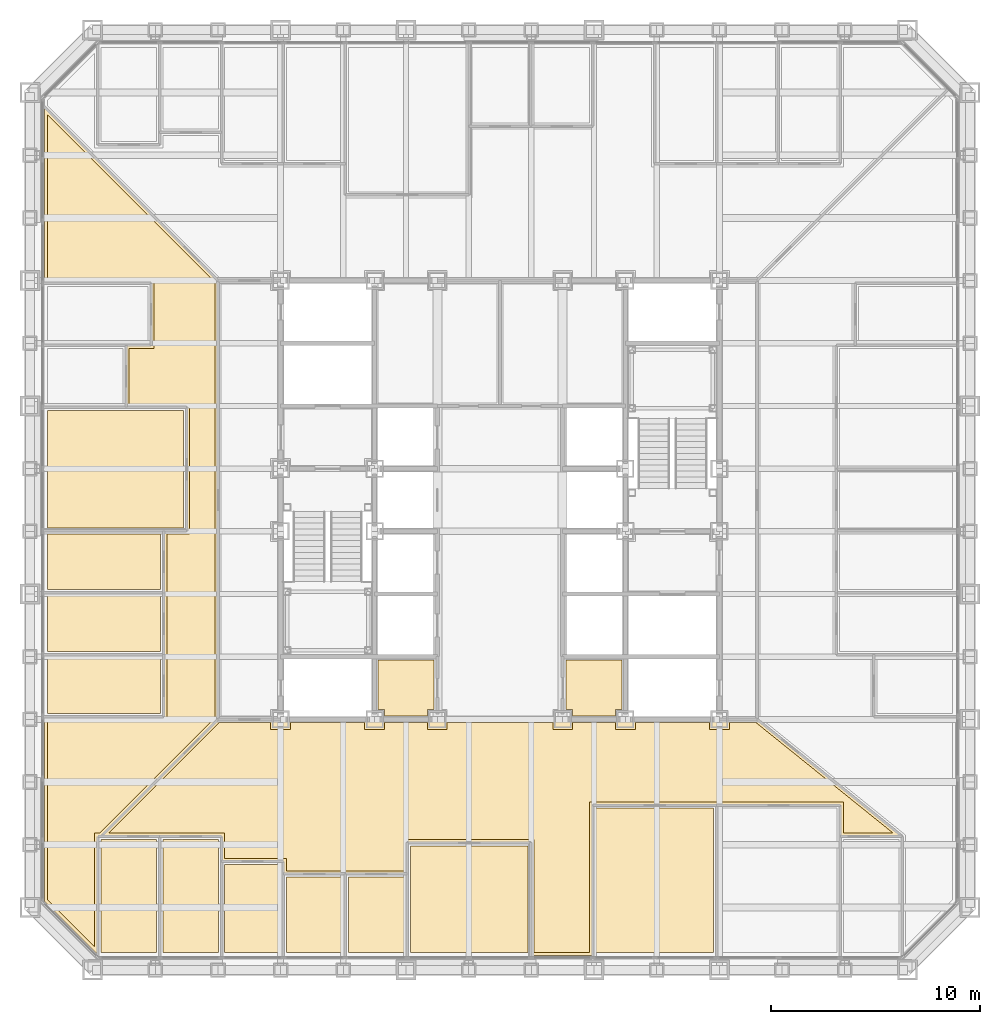
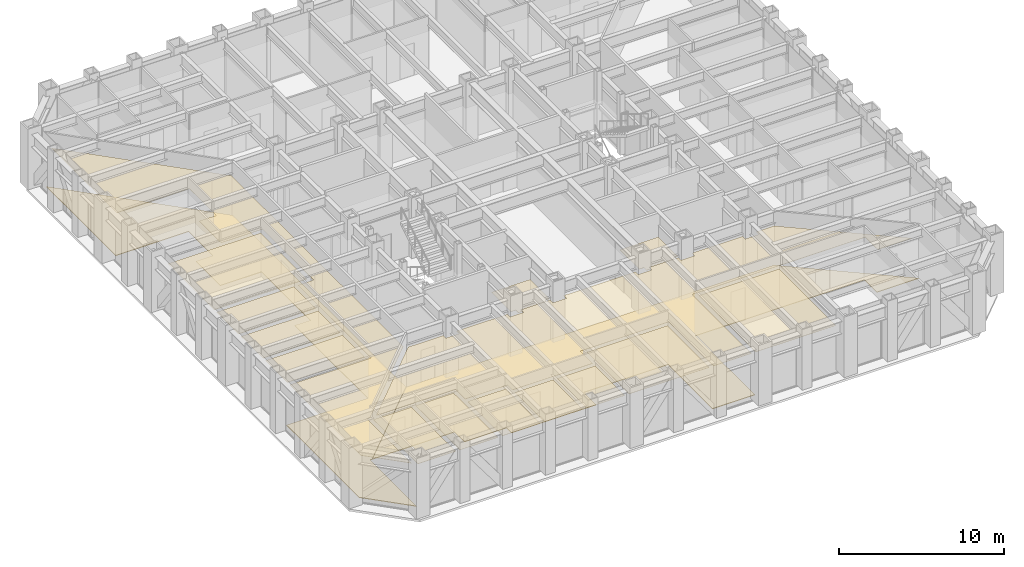
# One storey, part 14 of 17: 17 coverings.
"""IFC4 building model written with IfcOpenShell, lengths in metres."""

from ifc_helpers import new_model, si_unit, direction, frame, origin, place, context, subcontext, project, spatial, polyline, outline, extrude, material, layer, layer_set, type_object, element, save


model = new_model("IFC4")

# Units and contexts
model_context = context("Model", 3, precision=1e-05, world=origin(), true_north=direction((0.0, 1.0)))
body_context = subcontext(model_context, "Body", "Model", "MODEL_VIEW")
ifc_project = project(units=[si_unit("LENGTHUNIT", "METRE"), si_unit("AREAUNIT", "SQUARE_METRE"), si_unit("VOLUMEUNIT", "CUBIC_METRE"), si_unit("PLANEANGLEUNIT", "RADIAN"), si_unit("MASSUNIT", "GRAM", prefix="KILO")], contexts=[model_context])

# Site, building, storey
site_placement = place(None, origin())
site = spatial("IfcSite", under=ifc_project, at=site_placement, CompositionType="ELEMENT")
building_placement = place(site_placement, origin())
building = spatial("IfcBuilding", under=site, at=building_placement, Name="Chuquiago Exchange Tower", CompositionType="ELEMENT")
storey_placement = place(building_placement, frame((0.0, 0.0, 46.800048828125)))
storey = spatial("IfcBuildingStorey", under=building, at=storey_placement, Name="L09", CompositionType="ELEMENT", Elevation=46.800048828125)

# Coverings
ifc_material_1 = material(Name="Mineral fibre tile, 600 x 600, on pale metal grid", Category="mineral fibre")
ifc_layer_1 = layer(ifc_material_1, 0.02001953125)
ifc_layer_set_1 = layer_set([ifc_layer_1], Name="CL1 suspended tile ceiling 20")
covering_type_1 = type_object("IfcCoveringType", Name="CL1 suspended tile ceiling 20", PredefinedType="CEILING", material=ifc_layer_set_1)
covering_1_placement = place(storey_placement, frame((0.0, 0.0, 3.0)))
element("IfcCovering", 1, at=covering_1_placement, inside=storey, type_object=covering_type_1, Name="Ceiling Office", PredefinedType="CEILING", context=body_context, shape_type="SweptSolid", body=[
    extrude(outline(polyline([(3.3984375, 6.25), (6.060302734375, 6.25), (6.060302734375, 0.85009765625), (3.3984375, 0.85009765625), (3.3984375, 6.25)])), origin(), (0.0, 0.0, 1.0), 0.02001953125),
])
covering_2_placement = place(storey_placement, frame((0.0, 0.0, 3.0)))
element("IfcCovering", 2, at=covering_2_placement, inside=storey, type_object=covering_type_1, Name="Ceiling Office", PredefinedType="CEILING", context=body_context, shape_type="SweptSolid", body=[
    extrude(outline(polyline([(6.3603515625, 6.25), (9.022216796875, 6.25), (9.022216796875, 0.85009765625), (6.3603515625, 0.85009765625), (6.3603515625, 6.25)])), origin(), (0.0, 0.0, 1.0), 0.02001953125),
])
covering_3_placement = place(storey_placement, frame((0.0, 0.0, 3.0)))
element("IfcCovering", 3, at=covering_3_placement, inside=storey, type_object=covering_type_1, Name="Ceiling Pantry", PredefinedType="CEILING", context=body_context, shape_type="SweptSolid", body=[
    extrude(outline(polyline([(9.322021484375, 5.050048828125), (11.98388671875, 5.050048828125), (11.98388671875, 0.85009765625), (9.322021484375, 0.85009765625), (9.322021484375, 5.050048828125)])), origin(), (0.0, 0.0, 1.0), 0.02001953125),
])
covering_4_placement = place(storey_placement, frame((0.0, 0.0, 3.0)))
element("IfcCovering", 4, at=covering_4_placement, inside=storey, type_object=covering_type_1, Name="Ceiling Focus room", PredefinedType="CEILING", context=body_context, shape_type="SweptSolid", body=[
    extrude(outline(polyline([(12.28369140625, 4.449951171875), (14.945556640625, 4.449951171875), (14.945556640625, 0.85009765625), (12.28369140625, 0.85009765625), (12.28369140625, 4.449951171875)])), origin(), (0.0, 0.0, 1.0), 0.02001953125),
])
covering_5_placement = place(storey_placement, frame((0.0, 0.0, 3.0)))
element("IfcCovering", 5, at=covering_5_placement, inside=storey, type_object=covering_type_1, Name="Ceiling Focus room", PredefinedType="CEILING", context=body_context, shape_type="SweptSolid", body=[
    extrude(outline(polyline([(15.24560546875, 4.449951171875), (17.907470703125, 4.449951171875), (17.907470703125, 0.85009765625), (15.24560546875, 0.85009765625), (15.24560546875, 4.449951171875)])), origin(), (0.0, 0.0, 1.0), 0.02001953125),
])
covering_6_placement = place(storey_placement, frame((0.0, 0.0, 3.0)))
element("IfcCovering", 6, at=covering_6_placement, inside=storey, type_object=covering_type_1, Name="Ceiling Meeting room", PredefinedType="CEILING", context=body_context, shape_type="SweptSolid", body=[
    extrude(outline(polyline([(18.20751953125, 5.949951171875), (23.830810546875, 5.949951171875), (23.830810546875, 0.85009765625), (18.20751953125, 0.85009765625), (18.20751953125, 5.949951171875)])), origin(), (0.0, 0.0, 1.0), 0.02001953125),
])
covering_7_placement = place(storey_placement, frame((0.0, 0.0, 3.0)))
element("IfcCovering", 7, at=covering_7_placement, inside=storey, type_object=covering_type_1, Name="Ceiling Risk management office", PredefinedType="CEILING", context=body_context, shape_type="SweptSolid", body=[
    extrude(outline(polyline([(27.092529296875, 7.75), (32.71630859375, 7.75), (32.71630859375, 0.85009765625), (27.092529296875, 0.85009765625), (27.092529296875, 7.75)])), origin(), (0.0, 0.0, 1.0), 0.02001953125),
])
covering_8_placement = place(storey_placement, frame((0.0, 0.0, 3.0)))
element("IfcCovering", 8, at=covering_8_placement, inside=storey, type_object=covering_type_1, Name="Ceiling Meeting room", PredefinedType="CEILING", context=body_context, shape_type="SweptSolid", body=[
    extrude(outline(polyline([(6.25, 14.945556640625), (6.25, 12.28369140625), (0.85009765625, 12.28369140625), (0.85009765625, 14.945556640625), (6.25, 14.945556640625)])), origin(), (0.0, 0.0, 1.0), 0.02001953125),
])
covering_9_placement = place(storey_placement, frame((0.0, 0.0, 3.0)))
element("IfcCovering", 9, at=covering_9_placement, inside=storey, type_object=covering_type_1, Name="Ceiling Meeting room", PredefinedType="CEILING", context=body_context, shape_type="SweptSolid", body=[
    extrude(outline(polyline([(6.25, 17.907470703125), (6.25, 15.24560546875), (0.85009765625, 15.24560546875), (0.85009765625, 17.907470703125), (6.25, 17.907470703125)])), origin(), (0.0, 0.0, 1.0), 0.02001953125),
])
covering_10_placement = place(storey_placement, frame((0.0, 0.0, 3.0)))
element("IfcCovering", 10, at=covering_10_placement, inside=storey, type_object=covering_type_1, Name="Ceiling Meeting room", PredefinedType="CEILING", context=body_context, shape_type="SweptSolid", body=[
    extrude(outline(polyline([(6.25, 20.869140625), (6.25, 18.20751953125), (0.85009765625, 18.20751953125), (0.85009765625, 20.869140625), (6.25, 20.869140625)])), origin(), (0.0, 0.0, 1.0), 0.02001953125),
])
covering_11_placement = place(storey_placement, frame((0.0, 0.0, 3.0)))
element("IfcCovering", 11, at=covering_11_placement, inside=storey, type_object=covering_type_1, Name="Ceiling Conference room", PredefinedType="CEILING", context=body_context, shape_type="SweptSolid", body=[
    extrude(outline(polyline([(7.35009765625, 26.79248046875), (7.35009765625, 21.169189453125), (0.85009765625, 21.169189453125), (0.85009765625, 26.79248046875), (7.35009765625, 26.79248046875)])), origin(), (0.0, 0.0, 1.0), 0.02001953125),
])
covering_12_placement = place(storey_placement, frame((0.0, 0.0, 3.0)))
element("IfcCovering", 12, at=covering_12_placement, inside=storey, type_object=covering_type_1, Name="Ceiling Trading floor south", PredefinedType="CEILING", context=body_context, shape_type="SweptSolid", body=[
    extrude(outline(polyline([(38.939697265625, 8.050048828125), (26.79248046875, 8.050048828125), (26.79248046875, 0.85009765625), (24.130859375, 0.85009765625), (24.130859375, 6.25), (17.907470703125, 6.25), (17.907470703125, 4.75), (12.28369140625, 4.75), (12.28369140625, 5.35009765625), (9.322021484375, 5.35009765625), (9.322021484375, 6.550048828125), (3.7626953125, 6.550048828125), (9.0625, 11.85009765625), (11.52490234375, 11.85009765625), (11.52490234375, 11.52490234375), (12.47509765625, 11.52490234375), (12.47509765625, 11.85009765625), (16.02490234375, 11.85009765625), (16.02490234375, 11.52490234375), (16.97509765625, 11.52490234375), (16.97509765625, 11.85009765625), (19.02490234375, 11.85009765625), (19.02490234375, 11.52490234375), (19.97509765625, 11.52490234375), (19.97509765625, 11.85009765625), (25.02490234375, 11.85009765625), (25.02490234375, 11.52490234375), (25.97509765625, 11.52490234375), (25.97509765625, 11.85009765625), (28.02490234375, 11.85009765625), (28.02490234375, 11.52490234375), (28.97509765625, 11.52490234375), (28.97509765625, 11.85009765625), (32.52490234375, 11.85009765625), (32.52490234375, 11.52490234375), (33.47509765625, 11.52490234375), (33.47509765625, 11.85009765625), (34.74658203125, 11.85009765625), (41.325439453125, 6.550048828125), (38.939697265625, 6.550048828125), (38.939697265625, 8.050048828125)])), origin(), (0.0, 0.0, 1.0), 0.02001953125),
])
covering_13_placement = place(storey_placement, frame((0.0, 0.0, 3.0)))
element("IfcCovering", 13, at=covering_13_placement, inside=storey, type_object=covering_type_1, Name="Ceiling Trading floor west", PredefinedType="CEILING", context=body_context, shape_type="SweptSolid", body=[
    extrude(outline(polyline([(6.550048828125, 20.869140625), (7.64990234375, 20.869140625), (7.64990234375, 27.092529296875), (4.75, 27.092529296875), (4.75, 29.75439453125), (5.949951171875, 29.75439453125), (5.949951171875, 33.01611328125), (0.85009765625, 33.01611328125), (0.85009765625, 40.937255859375), (8.85009765625, 32.9375), (8.85009765625, 12.0625), (3.337158203125, 6.550048828125), (3.098388671875, 6.550048828125), (3.098388671875, 1.103515625), (0.85009765625, 3.35205078125), (0.85009765625, 11.98388671875), (6.550048828125, 11.98388671875), (6.550048828125, 20.869140625)])), origin(), (0.0, 0.0, 1.0), 0.02001953125),
])
ifc_material_2 = material(Name="Moisture resistant plasterboard on metal frame", Category="gypsum")
ifc_layer_2 = layer(ifc_material_2, 0.014892578125)
ifc_layer_set_2 = layer_set([ifc_layer_2], Name="CL2 moisture resistant ceiling 15")
covering_type_2 = type_object("IfcCoveringType", Name="CL2 moisture resistant ceiling 15", PredefinedType="CEILING", material=ifc_layer_set_2)
covering_14_placement = place(storey_placement, frame((0.0, 0.0, 2.599853515625)))
element("IfcCovering", 14, at=covering_14_placement, inside=storey, type_object=covering_type_2, Name="Ceiling Accessible WC", PredefinedType="CEILING", context=body_context, shape_type="SweptSolid", body=[
    extrude(outline(polyline([(25.97509765625, 12.14990234375), (25.97509765625, 12.47509765625), (25.64990234375, 12.47509765625), (25.64990234375, 14.85009765625), (28.35009765625, 14.85009765625), (28.35009765625, 12.47509765625), (28.02490234375, 12.47509765625), (28.02490234375, 12.14990234375), (25.97509765625, 12.14990234375)])), origin(), (0.0, 0.0, 1.0), 0.01513671875),
])
covering_15_placement = place(storey_placement, frame((0.0, 0.0, 2.599853515625)))
element("IfcCovering", 15, at=covering_15_placement, inside=storey, type_object=covering_type_2, Name="Ceiling Cleaner", PredefinedType="CEILING", context=body_context, shape_type="SweptSolid", body=[
    extrude(outline(polyline([(16.97509765625, 12.14990234375), (16.97509765625, 12.47509765625), (16.64990234375, 12.47509765625), (16.64990234375, 14.85009765625), (19.35009765625, 14.85009765625), (19.35009765625, 12.47509765625), (19.02490234375, 12.47509765625), (19.02490234375, 12.14990234375), (16.97509765625, 12.14990234375)])), origin(), (0.0, 0.0, 1.0), 0.01513671875),
])
ifc_material_3 = material(Name="Steel raised floor panel", Category="steel")
ifc_layer_3 = layer(ifc_material_3, 0.0400390625)
ifc_layer_set_3 = layer_set([ifc_layer_3], Name="RF1 raised access floor 40")
covering_type_3 = type_object("IfcCoveringType", Name="RF1 raised access floor 40", PredefinedType="FLOORING", material=ifc_layer_set_3)
covering_16_placement = place(storey_placement, frame((0.0, 0.0, -0.0400390625)))
element("IfcCovering", 16, at=covering_16_placement, inside=storey, type_object=covering_type_3, Name="Raised access floor Trading floor south", PredefinedType="FLOORING", context=body_context, shape_type="SweptSolid", body=[
    extrude(outline(polyline([(38.789794921875, 6.39990234375), (38.789794921875, 7.89990234375), (26.942626953125, 7.89990234375), (26.942626953125, 0.699951171875), (23.98095703125, 0.699951171875), (23.98095703125, 6.10009765625), (18.057373046875, 6.10009765625), (18.057373046875, 4.60009765625), (12.1337890625, 4.60009765625), (12.1337890625, 5.199951171875), (9.172119140625, 5.199951171875), (9.172119140625, 6.39990234375), (3.400634765625, 6.39990234375), (9.00048828125, 12.0), (34.799560546875, 12.0), (41.750732421875, 6.39990234375), (38.789794921875, 6.39990234375)])), origin(), (0.0, 0.0, 1.0), 0.0400390625),
])
covering_17_placement = place(storey_placement, frame((0.0, 0.0, -0.0400390625)))
element("IfcCovering", 17, at=covering_17_placement, inside=storey, type_object=covering_type_3, Name="Raised access floor Trading floor west", PredefinedType="FLOORING", context=body_context, shape_type="SweptSolid", body=[
    extrude(outline(polyline([(6.39990234375, 12.1337890625), (6.39990234375, 21.01904296875), (7.5, 21.01904296875), (7.5, 26.942626953125), (4.60009765625, 26.942626953125), (4.60009765625, 29.904296875), (5.800048828125, 29.904296875), (5.800048828125, 32.8662109375), (0.699951171875, 32.8662109375), (0.699951171875, 41.29931640625), (9.0, 32.99951171875), (9.0, 12.00048828125), (3.3994140625, 6.39990234375), (3.24853515625, 6.39990234375), (3.24853515625, 0.741455078125), (0.699951171875, 3.289794921875), (0.699951171875, 12.1337890625), (6.39990234375, 12.1337890625)])), origin(), (0.0, 0.0, 1.0), 0.0400390625),
])

save(model, "model.ifc")
